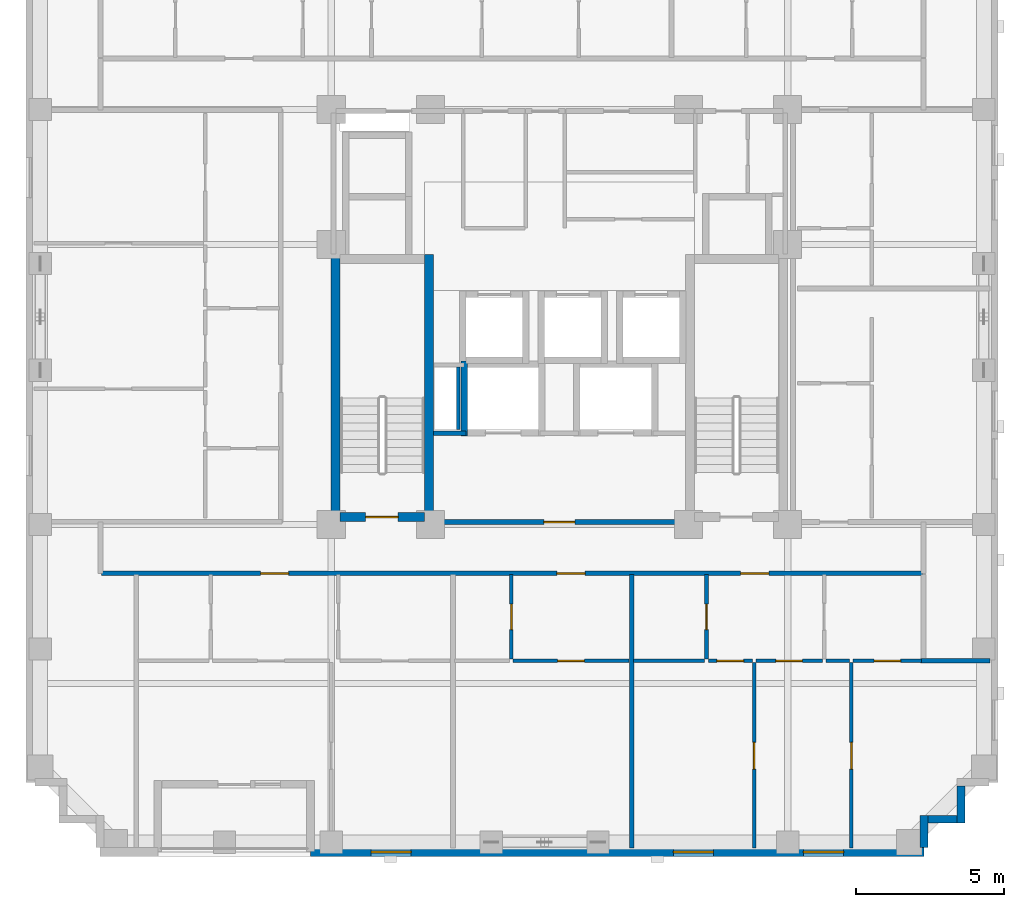
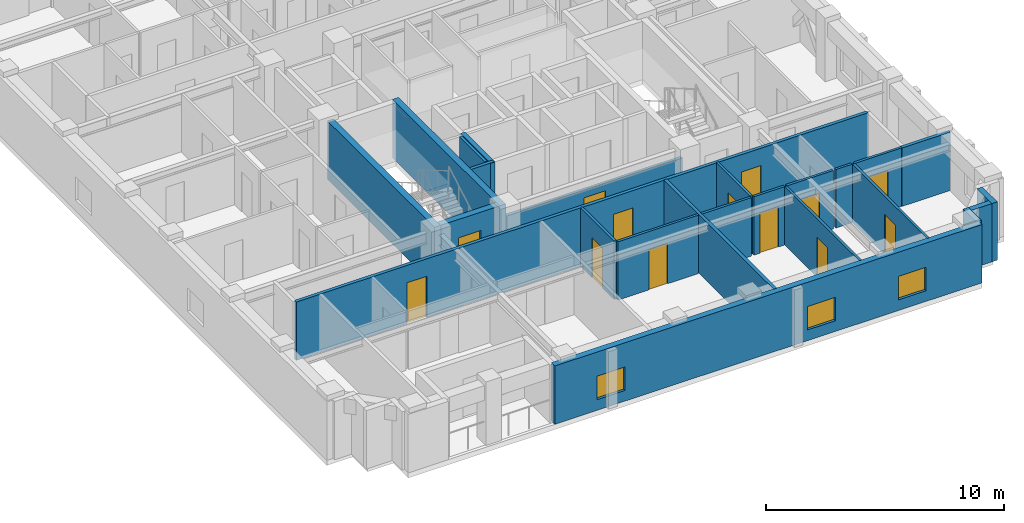
# One storey, part 3 of 11: 24 walls, 13 doors, 3 windows, 16 openings.
"""IFC4 building model written with IfcOpenShell, lengths in metres."""

from ifc_helpers import new_model, si_unit, derived_unit, direction, frame, frame_2d, origin, place, context, subcontext, project, spatial, rectangle, extrude, material, layer, layer_set, type_object, element, fill, save


model = new_model("IFC4")

# Units and contexts
model_context = context("Model", 3, precision=1e-05, world=origin(), true_north=direction((0.0, 1.0)))
body_context = subcontext(model_context, "Body", "Model", "MODEL_VIEW")
ifc_project = project(units=[si_unit("LENGTHUNIT", "METRE"), si_unit("AREAUNIT", "SQUARE_METRE"), si_unit("VOLUMEUNIT", "CUBIC_METRE"), si_unit("PLANEANGLEUNIT", "RADIAN"), si_unit("MASSUNIT", "GRAM", prefix="KILO"), derived_unit("THERMALTRANSMITTANCEUNIT", [(si_unit("MASSUNIT", "GRAM", prefix="KILO"), 1), (si_unit("TIMEUNIT", "SECOND"), -3), (si_unit("THERMODYNAMICTEMPERATUREUNIT", "KELVIN"), -1)])], contexts=[model_context])

# Site, building, storey
site_placement = place(None, origin())
site = spatial("IfcSite", under=ifc_project, at=site_placement, CompositionType="ELEMENT")
building_placement = place(site_placement, origin())
building = spatial("IfcBuilding", under=site, at=building_placement, Name="Korrvale Station Residences", CompositionType="ELEMENT")
storey_placement = place(building_placement, frame((0.0, 0.0, 134.14990234375)))
storey = spatial("IfcBuildingStorey", under=building, at=storey_placement, Name="L38", CompositionType="ELEMENT", Elevation=134.14990234375)

# Walls
ifc_material_1 = material(Name="Concrete C60/75", Category="concrete")
ifc_layer_1 = layer(ifc_material_1, 0.300048828125, Name="Concrete C60/75")
ifc_layer_set_1 = layer_set([ifc_layer_1], Name="Concrete C60/75")
wall_type_1 = type_object("IfcWallType", Name="WAL-CORE-300-C60", PredefinedType="SHEAR", material=ifc_layer_set_1)
for number, where, z_axis, x_axis, name in (
    (1, (17.949951171875, 15.10009765625, 0.0), (0.0, 0.0, 1.0), (0.0, 1.0, 0.0), "L38 ST-1 Core Shear Wall West"),
    (2, (21.10009765625, 15.10009765625, 0.0), (0.0, 0.0, 1.0), (0.0, 1.0, 0.0), "L38 ST-1 Core Shear Wall East"),
):
    element("IfcWall", number, at=place(storey_placement, frame(where, z_axis=z_axis, x_axis=x_axis)), inside=storey, type_object=wall_type_1, Name=name, PredefinedType="SHEAR", context=body_context, shape_type="SweptSolid", body=[
        extrude(rectangle(XDim=9.0, YDim=0.300048828125, at=frame_2d((4.5, 0.0))), origin(), (0.0, 0.0, 1.0), 2.989990234375),
    ])

# Wall, opening, door
wall_1_placement = place(storey_placement, frame((18.10009765625, 15.25, 0.0), z_axis=(0.0, 0.0, 1.0), x_axis=(1.0, 0.0, 0.0)))
wall_1 = element("IfcWall", 3, at=wall_1_placement, inside=storey, type_object=wall_type_1, Name="L38 ST-1 Core Shear Wall South", PredefinedType="SHEAR", context=body_context, shape_type="SweptSolid", body=[
    extrude(rectangle(XDim=2.849853515625, YDim=0.300048828125, at=frame_2d((1.4248046875, 0.0))), origin(), (0.0, 0.0, 1.0), 2.989990234375),
])
opening_1_placement = place(wall_1_placement, frame((0.860107421875, 0.0, 0.0)))
opening_1 = element("IfcOpeningElement", 4, at=opening_1_placement, cuts=wall_1, Name="Opening SD-1100", PredefinedType="OPENING", context=body_context, shape_type="SweptSolid", body=[
    extrude(rectangle(XDim=1.10009765625, YDim=2.050048828125, at=frame_2d((0.550048828125, 1.02490234375))), frame((0.0, 0.16015625, 0.0), z_axis=(0.0, -1.0, 0.0), x_axis=(1.0, 0.0, 0.0)), (0.0, 0.0, 1.0), 0.320068359375),
])
ifc_material_2 = material(Name="Hollow-metal fire-rated stair door with closer", Category="steel")
door_type_1 = type_object("IfcDoorType", Name="DR-STAIR-1100", OperationType="NOTDEFINED", PredefinedType="DOOR", material=ifc_material_2)
door_1_placement = place(opening_1_placement, origin())
door_1 = element("IfcDoor", 5, at=door_1_placement, inside=storey, type_object=door_type_1, Name="L38 ST-1 Exit Stair Door", OperationType="SINGLE_SWING_LEFT", OverallHeight=2.050048828125, OverallWidth=1.10009765625, PredefinedType="DOOR", context=body_context, shape_type="SweptSolid", body=[
    extrude(rectangle(XDim=1.10009765625, YDim=2.050048828125, at=frame_2d((0.550048828125, 1.02490234375))), frame((0.0, 0.02490234375, 0.0), z_axis=(0.0, -1.0, 0.0), x_axis=(1.0, 0.0, 0.0)), (0.0, 0.0, 1.0), 0.050048828125),
])
fill(opening_1, door_1)

# Walls
ifc_material_3 = material(Name="Precast concrete C45/55", Category="concrete")
ifc_layer_2 = layer(ifc_material_3, 0.260009765625, Name="Precast concrete C45/55")
ifc_layer_set_2 = layer_set([ifc_layer_2], Name="Precast concrete C45/55")
wall_type_2 = type_object("IfcWallType", Name="WAL-EXT-LOG260", PredefinedType="SOLIDWALL", material=ifc_layer_set_2)
wall_2_placement = place(storey_placement, frame((39.050048828125, 6.16796875, 0.0), z_axis=(0.0, 0.0, 1.0), x_axis=(0.0, -1.0, 0.0)))
element("IfcWall", 6, at=wall_2_placement, inside=storey, type_object=wall_type_2, Name="L38 Serrated Corner Precast Step SE-2", PredefinedType="SOLIDWALL", context=body_context, shape_type="SweptSolid", body=[
    extrude(rectangle(XDim=1.248046875, YDim=0.260009765625, at=frame_2d((0.6240234375, 0.0))), origin(), (0.0, 0.0, 1.0), 2.989990234375),
])
wall_3_placement = place(storey_placement, frame((38.91796875, 5.050048828125, 0.0), z_axis=(0.0, 0.0, 1.0), x_axis=(-1.0, 0.0, 0.0)))
element("IfcWall", 7, at=wall_3_placement, inside=storey, type_object=wall_type_2, Name="L38 Serrated Corner Precast Step SE-3", PredefinedType="SOLIDWALL", context=body_context, shape_type="SweptSolid", body=[
    extrude(rectangle(XDim=0.986083984375, YDim=0.260009765625, at=frame_2d((0.4931640625, 0.0))), origin(), (0.0, 0.0, 1.0), 2.989990234375),
])
wall_4_placement = place(storey_placement, frame((37.800048828125, 5.179931640625, 0.0), z_axis=(0.0, 0.0, 1.0), x_axis=(0.0, -1.0, 0.0)))
element("IfcWall", 8, at=wall_4_placement, inside=storey, type_object=wall_type_2, Name="L38 Serrated Corner Precast Step SE-4", PredefinedType="SOLIDWALL", context=body_context, shape_type="SweptSolid", body=[
    extrude(rectangle(XDim=1.077880859375, YDim=0.260009765625, at=frame_2d((0.5390625, 0.0))), origin(), (0.0, 0.0, 1.0), 2.989990234375),
])

# Wall, openings, windows
ifc_layer_3 = layer(ifc_material_3, 0.300048828125, Name="Precast concrete C45/55")
ifc_layer_set_3 = layer_set([ifc_layer_3], Name="Precast concrete C45/55")
wall_type_3 = type_object("IfcWallType", Name="WAL-EXT-PC300", PredefinedType="SOLIDWALL", material=ifc_layer_set_3)
wall_5_placement = place(storey_placement, frame((37.800048828125, 3.949951171875, 0.0), z_axis=(0.0, 0.0, 1.0), x_axis=(-1.0, 0.0, 0.0)))
wall_5 = element("IfcWall", 9, at=wall_5_placement, inside=storey, type_object=wall_type_3, Name="L38 South Exterior Precast Wall 1", PredefinedType="SOLIDWALL", context=body_context, shape_type="SweptSolid", body=[
    extrude(rectangle(XDim=20.699951171875, YDim=0.300048828125, at=frame_2d((10.35009765625, 0.0))), origin(), (0.0, 0.0, 1.0), 2.989990234375),
])
opening_2_placement = place(wall_5_placement, frame((17.304931640625, 0.0, 0.550048828125)))
opening_2 = element("IfcOpeningElement", 10, at=opening_2_placement, cuts=wall_5, Name="Opening W-10", PredefinedType="OPENING", context=body_context, shape_type="SweptSolid", body=[
    extrude(rectangle(XDim=1.35009765625, YDim=1.199951171875, at=frame_2d((0.675048828125, 0.60009765625))), frame((0.0, 0.16015625, 0.0), z_axis=(0.0, -1.0, 0.0), x_axis=(1.0, 0.0, 0.0)), (0.0, 0.0, 1.0), 0.320068359375),
])
opening_3_placement = place(wall_5_placement, frame((7.10595703125, 0.0, 0.550048828125)))
opening_3 = element("IfcOpeningElement", 11, at=opening_3_placement, cuts=wall_5, Name="Opening W-10", PredefinedType="OPENING", context=body_context, shape_type="SweptSolid", body=[
    extrude(rectangle(XDim=1.35009765625, YDim=1.199951171875, at=frame_2d((0.675048828125, 0.60009765625))), frame((0.0, 0.16015625, 0.0), z_axis=(0.0, -1.0, 0.0), x_axis=(1.0, 0.0, 0.0)), (0.0, 0.0, 1.0), 0.320068359375),
])
opening_4_placement = place(wall_5_placement, frame((2.715087890625, 0.0, 0.550048828125)))
opening_4 = element("IfcOpeningElement", 12, at=opening_4_placement, cuts=wall_5, Name="Opening W-10", PredefinedType="OPENING", context=body_context, shape_type="SweptSolid", body=[
    extrude(rectangle(XDim=1.35009765625, YDim=1.199951171875, at=frame_2d((0.675048828125, 0.60009765625))), frame((0.0, 0.16015625, 0.0), z_axis=(0.0, -1.0, 0.0), x_axis=(1.0, 0.0, 0.0)), (0.0, 0.0, 1.0), 0.320068359375),
])
ifc_material_4 = material(Name="Thermally broken aluminium frame with triple low-e glazing", Category="aluminium")
window_type = type_object("IfcWindowType", Name="WIN-W10", PartitioningType="SINGLE_PANEL", PredefinedType="WINDOW", material=ifc_material_4)
window_1_placement = place(opening_2_placement, origin())
window_1 = element("IfcWindow", 13, at=window_1_placement, inside=storey, type_object=window_type, Name="L38 Punched Window 02", OverallHeight=1.199951171875, OverallWidth=1.35009765625, PartitioningType="SINGLE_PANEL", PredefinedType="WINDOW", context=body_context, shape_type="SweptSolid", body=[
    extrude(rectangle(XDim=1.35009765625, YDim=1.199951171875, at=frame_2d((0.675048828125, 0.60009765625))), frame((0.0, 0.030029296875, 0.0), z_axis=(0.0, -1.0, 0.0), x_axis=(1.0, 0.0, 0.0)), (0.0, 0.0, 1.0), 0.06005859375),
])
fill(opening_2, window_1)
window_2_placement = place(opening_3_placement, origin())
window_2 = element("IfcWindow", 14, at=window_2_placement, inside=storey, type_object=window_type, Name="L38 Punched Window 03", OverallHeight=1.199951171875, OverallWidth=1.35009765625, PartitioningType="SINGLE_PANEL", PredefinedType="WINDOW", context=body_context, shape_type="SweptSolid", body=[
    extrude(rectangle(XDim=1.35009765625, YDim=1.199951171875, at=frame_2d((0.675048828125, 0.60009765625))), frame((0.0, 0.030029296875, 0.0), z_axis=(0.0, -1.0, 0.0), x_axis=(1.0, 0.0, 0.0)), (0.0, 0.0, 1.0), 0.06005859375),
])
fill(opening_3, window_2)
window_3_placement = place(opening_4_placement, origin())
window_3 = element("IfcWindow", 15, at=window_3_placement, inside=storey, type_object=window_type, Name="L38 Punched Window 04", OverallHeight=1.199951171875, OverallWidth=1.35009765625, PartitioningType="SINGLE_PANEL", PredefinedType="WINDOW", context=body_context, shape_type="SweptSolid", body=[
    extrude(rectangle(XDim=1.35009765625, YDim=1.199951171875, at=frame_2d((0.675048828125, 0.60009765625))), frame((0.0, 0.030029296875, 0.0), z_axis=(0.0, -1.0, 0.0), x_axis=(1.0, 0.0, 0.0)), (0.0, 0.0, 1.0), 0.06005859375),
])
fill(opening_4, window_3)

# Wall
ifc_material_5 = material(Name="Acoustic steel-stud gypsum board partition", Category="steel")
ifc_layer_4 = layer(ifc_material_5, 0.1201171875, Name="Acoustic steel-stud gypsum board partition")
ifc_layer_set_4 = layer_set([ifc_layer_4], Name="Acoustic steel-stud gypsum board partition")
wall_type_4 = type_object("IfcWallType", Name="WAL-PART-125", PredefinedType="PARTITIONING", material=ifc_layer_set_4)
wall_6_placement = place(storey_placement, frame((22.080078125, 18.199951171875, 0.0), z_axis=(0.0, 0.0, 1.0), x_axis=(0.0, 1.0, 0.0)))
element("IfcWall", 16, at=wall_6_placement, inside=storey, type_object=wall_type_4, Name="L38 Core Partition CW-RSWT", PredefinedType="PARTITIONING", context=body_context, shape_type="SweptSolid", body=[
    extrude(rectangle(XDim=2.1201171875, YDim=0.1201171875, at=frame_2d((1.06005859375, 0.0))), origin(), (0.0, 0.0, 1.0), 2.989990234375),
])

# Wall, opening, door
wall_7_placement = place(storey_placement, frame((23.8779296875, 10.4599609375, 0.0), z_axis=(0.0, 0.0, 1.0), x_axis=(0.0, 1.0, 0.0)))
wall_7 = element("IfcWall", 17, at=wall_7_placement, inside=storey, type_object=wall_type_4, Name="L38 Suite Partition U02-V01", PredefinedType="PARTITIONING", context=body_context, shape_type="SweptSolid", body=[
    extrude(rectangle(XDim=2.85009765625, YDim=0.1201171875, at=frame_2d((1.425048828125, 0.0))), origin(), (0.0, 0.0, 1.0), 2.989990234375),
])
opening_5_placement = place(wall_7_placement, frame((0.9951171875, 0.0, 0.0)))
opening_5 = element("IfcOpeningElement", 18, at=opening_5_placement, cuts=wall_7, Name="Opening DB-860", PredefinedType="OPENING", context=body_context, shape_type="SweptSolid", body=[
    extrude(rectangle(XDim=0.860107421875, YDim=2.050048828125, at=frame_2d((0.43017578125, 1.02490234375))), frame((0.0, 0.070068359375, 0.0), z_axis=(0.0, -1.0, 0.0), x_axis=(1.0, 0.0, 0.0)), (0.0, 0.0, 1.0), 0.14013671875),
])
ifc_material_6 = material(Name="Moisture-resistant solid-core bathroom door", Category="timber")
door_type_2 = type_object("IfcDoorType", Name="DR-BATH-860", OperationType="NOTDEFINED", PredefinedType="DOOR", material=ifc_material_6)
door_2_placement = place(opening_5_placement, origin())
door_2 = element("IfcDoor", 19, at=door_2_placement, inside=storey, type_object=door_type_2, Name="L38 Studio Apartment L38-U02 Bathroom Door", OperationType="SINGLE_SWING_LEFT", OverallHeight=2.050048828125, OverallWidth=0.860107421875, PredefinedType="DOOR", context=body_context, shape_type="SweptSolid", body=[
    extrude(rectangle(XDim=0.860107421875, YDim=2.050048828125, at=frame_2d((0.43017578125, 1.02490234375))), frame((0.0, 0.02490234375, 0.0), z_axis=(0.0, -1.0, 0.0), x_axis=(1.0, 0.0, 0.0)), (0.0, 0.0, 1.0), 0.050048828125),
])
fill(opening_5, door_2)

wall_8_placement = place(storey_placement, frame((23.93798828125, 10.39990234375, 0.0), z_axis=(0.0, 0.0, 1.0), x_axis=(1.0, 0.0, 0.0)))
wall_8 = element("IfcWall", 20, at=wall_8_placement, inside=storey, type_object=wall_type_4, Name="L38 Suite Partition U02-H12", PredefinedType="PARTITIONING", context=body_context, shape_type="SweptSolid", body=[
    extrude(rectangle(XDim=3.904052734375, YDim=0.1201171875, at=frame_2d((1.9521484375, 0.0))), origin(), (0.0, 0.0, 1.0), 2.989990234375),
])
opening_6_placement = place(wall_8_placement, frame((1.501953125, 0.0, 0.0)))
opening_6 = element("IfcOpeningElement", 21, at=opening_6_placement, cuts=wall_8, Name="Opening DI-900", PredefinedType="OPENING", context=body_context, shape_type="SweptSolid", body=[
    extrude(rectangle(XDim=0.89990234375, YDim=2.050048828125, at=frame_2d((0.449951171875, 1.02490234375))), frame((0.0, 0.070068359375, 0.0), z_axis=(0.0, -1.0, 0.0), x_axis=(1.0, 0.0, 0.0)), (0.0, 0.0, 1.0), 0.14013671875),
])
ifc_material_7 = material(Name="Painted solid-core timber interior room door", Category="wood")
door_type_3 = type_object("IfcDoorType", Name="DR-INT-900", OperationType="NOTDEFINED", PredefinedType="DOOR", material=ifc_material_7)
door_3_placement = place(opening_6_placement, origin())
door_3 = element("IfcDoor", 22, at=door_3_placement, inside=storey, type_object=door_type_3, Name="L38 Studio Apartment L38-U02 Kitchen Door", OperationType="SINGLE_SWING_RIGHT", OverallHeight=2.050048828125, OverallWidth=0.89990234375, PredefinedType="DOOR", context=body_context, shape_type="SweptSolid", body=[
    extrude(rectangle(XDim=0.89990234375, YDim=2.050048828125, at=frame_2d((0.449951171875, 1.02490234375))), frame((0.0, 0.02490234375, 0.0), z_axis=(0.0, -1.0, 0.0), x_axis=(1.0, 0.0, 0.0)), (0.0, 0.0, 1.0), 0.050048828125),
])
fill(opening_6, door_3)

wall_9_placement = place(storey_placement, frame((30.4619140625, 10.4599609375, 0.0), z_axis=(0.0, 0.0, 1.0), x_axis=(0.0, 1.0, 0.0)))
wall_9 = element("IfcWall", 23, at=wall_9_placement, inside=storey, type_object=wall_type_4, Name="L38 Suite Partition U03-V01", PredefinedType="PARTITIONING", context=body_context, shape_type="SweptSolid", body=[
    extrude(rectangle(XDim=2.85009765625, YDim=0.1201171875, at=frame_2d((1.425048828125, 0.0))), origin(), (0.0, 0.0, 1.0), 2.989990234375),
])
opening_7_placement = place(wall_9_placement, frame((0.9951171875, 0.0, 0.0)))
opening_7 = element("IfcOpeningElement", 24, at=opening_7_placement, cuts=wall_9, Name="Opening DB-860", PredefinedType="OPENING", context=body_context, shape_type="SweptSolid", body=[
    extrude(rectangle(XDim=0.860107421875, YDim=2.050048828125, at=frame_2d((0.43017578125, 1.02490234375))), frame((0.0, 0.070068359375, 0.0), z_axis=(0.0, -1.0, 0.0), x_axis=(1.0, 0.0, 0.0)), (0.0, 0.0, 1.0), 0.14013671875),
])
door_4_placement = place(opening_7_placement, origin())
door_4 = element("IfcDoor", 25, at=door_4_placement, inside=storey, type_object=door_type_2, Name="L38 Apartment 1BR L38-U03 Bathroom Door", OperationType="SINGLE_SWING_LEFT", OverallHeight=2.050048828125, OverallWidth=0.860107421875, PredefinedType="DOOR", context=body_context, shape_type="SweptSolid", body=[
    extrude(rectangle(XDim=0.860107421875, YDim=2.050048828125, at=frame_2d((0.43017578125, 1.02490234375))), frame((0.0, 0.02490234375, 0.0), z_axis=(0.0, -1.0, 0.0), x_axis=(1.0, 0.0, 0.0)), (0.0, 0.0, 1.0), 0.050048828125),
])
fill(opening_7, door_4)

# Wall
wall_10_placement = place(storey_placement, frame((28.001953125, 10.39990234375, 0.0), z_axis=(0.0, 0.0, 1.0), x_axis=(1.0, 0.0, 0.0)))
element("IfcWall", 26, at=wall_10_placement, inside=storey, type_object=wall_type_4, Name="L38 Suite Partition U03-H03", PredefinedType="PARTITIONING", context=body_context, shape_type="SweptSolid", body=[
    extrude(rectangle(XDim=2.400146484375, YDim=0.1201171875, at=frame_2d((1.2001953125, 0.0))), origin(), (0.0, 0.0, 1.0), 2.989990234375),
])

# Wall, opening, door
wall_11_placement = place(storey_placement, frame((30.52197265625, 10.39990234375, 0.0), z_axis=(0.0, 0.0, 1.0), x_axis=(1.0, 0.0, 0.0)))
wall_11 = element("IfcWall", 27, at=wall_11_placement, inside=storey, type_object=wall_type_4, Name="L38 Suite Partition U03-H13", PredefinedType="PARTITIONING", context=body_context, shape_type="SweptSolid", body=[
    extrude(rectangle(XDim=1.488037109375, YDim=0.1201171875, at=frame_2d((0.744140625, 0.0))), origin(), (0.0, 0.0, 1.0), 2.989990234375),
])
opening_8_placement = place(wall_11_placement, frame((0.2939453125, 0.0, 0.0)))
opening_8 = element("IfcOpeningElement", 28, at=opening_8_placement, cuts=wall_11, Name="Opening DI-900", PredefinedType="OPENING", context=body_context, shape_type="SweptSolid", body=[
    extrude(rectangle(XDim=0.89990234375, YDim=2.050048828125, at=frame_2d((0.449951171875, 1.02490234375))), frame((0.0, 0.070068359375, 0.0), z_axis=(0.0, -1.0, 0.0), x_axis=(1.0, 0.0, 0.0)), (0.0, 0.0, 1.0), 0.14013671875),
])
door_5_placement = place(opening_8_placement, origin())
door_5 = element("IfcDoor", 29, at=door_5_placement, inside=storey, type_object=door_type_3, Name="L38 Apartment 1BR L38-U03 Kitchen Door", OperationType="SINGLE_SWING_LEFT", OverallHeight=2.050048828125, OverallWidth=0.89990234375, PredefinedType="DOOR", context=body_context, shape_type="SweptSolid", body=[
    extrude(rectangle(XDim=0.89990234375, YDim=2.050048828125, at=frame_2d((0.449951171875, 1.02490234375))), frame((0.0, 0.02490234375, 0.0), z_axis=(0.0, -1.0, 0.0), x_axis=(1.0, 0.0, 0.0)), (0.0, 0.0, 1.0), 0.050048828125),
])
fill(opening_8, door_5)

wall_12_placement = place(storey_placement, frame((32.1298828125, 10.39990234375, 0.0), z_axis=(0.0, 0.0, 1.0), x_axis=(1.0, 0.0, 0.0)))
wall_12 = element("IfcWall", 30, at=wall_12_placement, inside=storey, type_object=wall_type_4, Name="L38 Suite Partition U03-H14", PredefinedType="PARTITIONING", context=body_context, shape_type="SweptSolid", body=[
    extrude(rectangle(XDim=2.240234375, YDim=0.1201171875, at=frame_2d((1.1201171875, 0.0))), origin(), (0.0, 0.0, 1.0), 2.989990234375),
])
opening_9_placement = place(wall_12_placement, frame((0.669921875, 0.0, 0.0)))
opening_9 = element("IfcOpeningElement", 31, at=opening_9_placement, cuts=wall_12, Name="Opening DI-900", PredefinedType="OPENING", context=body_context, shape_type="SweptSolid", body=[
    extrude(rectangle(XDim=0.89990234375, YDim=2.050048828125, at=frame_2d((0.449951171875, 1.02490234375))), frame((0.0, 0.070068359375, 0.0), z_axis=(0.0, -1.0, 0.0), x_axis=(1.0, 0.0, 0.0)), (0.0, 0.0, 1.0), 0.14013671875),
])
door_6_placement = place(opening_9_placement, origin())
door_6 = element("IfcDoor", 32, at=door_6_placement, inside=storey, type_object=door_type_3, Name="L38 Apartment 1BR L38-U03 Kitchen Door", OperationType="SINGLE_SWING_RIGHT", OverallHeight=2.050048828125, OverallWidth=0.89990234375, PredefinedType="DOOR", context=body_context, shape_type="SweptSolid", body=[
    extrude(rectangle(XDim=0.89990234375, YDim=2.050048828125, at=frame_2d((0.449951171875, 1.02490234375))), frame((0.0, 0.02490234375, 0.0), z_axis=(0.0, -1.0, 0.0), x_axis=(1.0, 0.0, 0.0)), (0.0, 0.0, 1.0), 0.050048828125),
])
fill(opening_9, door_6)

# Wall
wall_13_placement = place(storey_placement, frame((34.489990234375, 10.39990234375, 0.0), z_axis=(0.0, 0.0, 1.0), x_axis=(1.0, 0.0, 0.0)))
element("IfcWall", 33, at=wall_13_placement, inside=storey, type_object=wall_type_4, Name="L38 Suite Partition U03-H24", PredefinedType="PARTITIONING", context=body_context, shape_type="SweptSolid", body=[
    extrude(rectangle(XDim=0.800048828125, YDim=0.1201171875, at=frame_2d((0.39990234375, 0.0))), origin(), (0.0, 0.0, 1.0), 2.989990234375),
])

# Wall, opening, door
wall_14_placement = place(storey_placement, frame((35.409912109375, 10.39990234375, 0.0), z_axis=(0.0, 0.0, 1.0), x_axis=(1.0, 0.0, 0.0)))
wall_14 = element("IfcWall", 34, at=wall_14_placement, inside=storey, type_object=wall_type_4, Name="L38 Suite Partition U03-H25", PredefinedType="PARTITIONING", context=body_context, shape_type="SweptSolid", body=[
    extrude(rectangle(XDim=2.31005859375, YDim=0.1201171875, at=frame_2d((1.155029296875, 0.0))), origin(), (0.0, 0.0, 1.0), 2.989990234375),
])
opening_10_placement = place(wall_14_placement, frame((0.705078125, 0.0, 0.0)))
opening_10 = element("IfcOpeningElement", 35, at=opening_10_placement, cuts=wall_14, Name="Opening DI-900", PredefinedType="OPENING", context=body_context, shape_type="SweptSolid", body=[
    extrude(rectangle(XDim=0.89990234375, YDim=2.050048828125, at=frame_2d((0.449951171875, 1.02490234375))), frame((0.0, 0.070068359375, 0.0), z_axis=(0.0, -1.0, 0.0), x_axis=(1.0, 0.0, 0.0)), (0.0, 0.0, 1.0), 0.14013671875),
])
door_7_placement = place(opening_10_placement, origin())
door_7 = element("IfcDoor", 36, at=door_7_placement, inside=storey, type_object=door_type_3, Name="L38 Apartment 1BR L38-U03 Wardrobe Storage Room Door", OperationType="SINGLE_SWING_LEFT", OverallHeight=2.050048828125, OverallWidth=0.89990234375, PredefinedType="DOOR", context=body_context, shape_type="SweptSolid", body=[
    extrude(rectangle(XDim=0.89990234375, YDim=2.050048828125, at=frame_2d((0.449951171875, 1.02490234375))), frame((0.0, 0.02490234375, 0.0), z_axis=(0.0, -1.0, 0.0), x_axis=(1.0, 0.0, 0.0)), (0.0, 0.0, 1.0), 0.050048828125),
])
fill(opening_10, door_7)

wall_15_placement = place(storey_placement, frame((32.070068359375, 4.080078125, 0.0), z_axis=(0.0, 0.0, 1.0), x_axis=(0.0, 1.0, 0.0)))
wall_15 = element("IfcWall", 37, at=wall_15_placement, inside=storey, type_object=wall_type_4, Name="L38 Suite Partition U03-V34", PredefinedType="PARTITIONING", context=body_context, shape_type="SweptSolid", body=[
    extrude(rectangle(XDim=6.260009765625, YDim=0.1201171875, at=frame_2d((3.1298828125, 0.0))), origin(), (0.0, 0.0, 1.0), 2.989990234375),
])
opening_11_placement = place(wall_15_placement, frame((2.6650390625, 0.0, 0.0)))
opening_11 = element("IfcOpeningElement", 38, at=opening_11_placement, cuts=wall_15, Name="Opening DI-900", PredefinedType="OPENING", context=body_context, shape_type="SweptSolid", body=[
    extrude(rectangle(XDim=0.89990234375, YDim=2.050048828125, at=frame_2d((0.449951171875, 1.02490234375))), frame((0.0, 0.070068359375, 0.0), z_axis=(0.0, -1.0, 0.0), x_axis=(1.0, 0.0, 0.0)), (0.0, 0.0, 1.0), 0.14013671875),
])
door_8_placement = place(opening_11_placement, origin())
door_8 = element("IfcDoor", 39, at=door_8_placement, inside=storey, type_object=door_type_3, Name="L38 Apartment 1BR L38-U03 Living and Dining Room Door", OperationType="SINGLE_SWING_RIGHT", OverallHeight=2.050048828125, OverallWidth=0.89990234375, PredefinedType="DOOR", context=body_context, shape_type="SweptSolid", body=[
    extrude(rectangle(XDim=0.89990234375, YDim=2.050048828125, at=frame_2d((0.449951171875, 1.02490234375))), frame((0.0, 0.02490234375, 0.0), z_axis=(0.0, -1.0, 0.0), x_axis=(1.0, 0.0, 0.0)), (0.0, 0.0, 1.0), 0.050048828125),
])
fill(opening_11, door_8)

wall_16_placement = place(storey_placement, frame((35.35009765625, 4.080078125, 0.0), z_axis=(0.0, 0.0, 1.0), x_axis=(0.0, 1.0, 0.0)))
wall_16 = element("IfcWall", 40, at=wall_16_placement, inside=storey, type_object=wall_type_4, Name="L38 Suite Partition U03-V45", PredefinedType="PARTITIONING", context=body_context, shape_type="SweptSolid", body=[
    extrude(rectangle(XDim=6.260009765625, YDim=0.1201171875, at=frame_2d((3.1298828125, 0.0))), origin(), (0.0, 0.0, 1.0), 2.989990234375),
])
opening_12_placement = place(wall_16_placement, frame((2.6650390625, 0.0, 0.0)))
opening_12 = element("IfcOpeningElement", 41, at=opening_12_placement, cuts=wall_16, Name="Opening DI-900", PredefinedType="OPENING", context=body_context, shape_type="SweptSolid", body=[
    extrude(rectangle(XDim=0.89990234375, YDim=2.050048828125, at=frame_2d((0.449951171875, 1.02490234375))), frame((0.0, 0.070068359375, 0.0), z_axis=(0.0, -1.0, 0.0), x_axis=(1.0, 0.0, 0.0)), (0.0, 0.0, 1.0), 0.14013671875),
])
door_9_placement = place(opening_12_placement, origin())
door_9 = element("IfcDoor", 42, at=door_9_placement, inside=storey, type_object=door_type_3, Name="L38 Apartment 1BR L38-U03 Formal Dining Room Door", OperationType="SINGLE_SWING_LEFT", OverallHeight=2.050048828125, OverallWidth=0.89990234375, PredefinedType="DOOR", context=body_context, shape_type="SweptSolid", body=[
    extrude(rectangle(XDim=0.89990234375, YDim=2.050048828125, at=frame_2d((0.449951171875, 1.02490234375))), frame((0.0, 0.02490234375, 0.0), z_axis=(0.0, -1.0, 0.0), x_axis=(1.0, 0.0, 0.0)), (0.0, 0.0, 1.0), 0.050048828125),
])
fill(opening_12, door_9)

ifc_material_8 = material(Name="Fire-rated twin-stud gypsum and mineral wool shaftwall assembly", Category="gypsum")
ifc_layer_5 = layer(ifc_material_8, 0.159912109375, Name="Fire-rated twin-stud gypsum and mineral wool shaftwall assembly")
ifc_layer_set_5 = layer_set([ifc_layer_5], Name="Fire-rated twin-stud gypsum and mineral wool shaftwall assembly")
wall_type_5 = type_object("IfcWallType", Name="WAL-PART-200", PredefinedType="PARTITIONING", material=ifc_layer_set_5)
wall_17_placement = place(storey_placement, frame((21.25, 15.080078125, 0.0), z_axis=(0.0, 0.0, 1.0), x_axis=(1.0, 0.0, 0.0)))
wall_17 = element("IfcWall", 43, at=wall_17_placement, inside=storey, type_object=wall_type_5, Name="L38 Core Partition CW-FFL-S", PredefinedType="PARTITIONING", context=body_context, shape_type="SweptSolid", body=[
    extrude(rectangle(XDim=8.5, YDim=0.159912109375, at=frame_2d((4.25, 0.0))), origin(), (0.0, 0.0, 1.0), 2.426025390625),
])
opening_13_placement = place(wall_17_placement, frame((3.72509765625, 0.0, 0.0)))
opening_13 = element("IfcOpeningElement", 44, at=opening_13_placement, cuts=wall_17, Name="Opening FD-1050", PredefinedType="OPENING", context=body_context, shape_type="SweptSolid", body=[
    extrude(rectangle(XDim=1.050048828125, YDim=2.050048828125, at=frame_2d((0.52490234375, 1.02490234375))), frame((0.0, 0.08984375, 0.0), z_axis=(0.0, -1.0, 0.0), x_axis=(1.0, 0.0, 0.0)), (0.0, 0.0, 1.0), 0.179931640625),
])
ifc_material_9 = material(Name="Fire-rated mineral-core timber lobby door", Category="wood")
door_type_4 = type_object("IfcDoorType", Name="DR-CORE-1050", OperationType="NOTDEFINED", PredefinedType="DOOR", material=ifc_material_9)
door_10_placement = place(opening_13_placement, origin())
door_10 = element("IfcDoor", 45, at=door_10_placement, inside=storey, type_object=door_type_4, Name="L38 Firefighting Lobby Entry Door", OperationType="SINGLE_SWING_RIGHT", OverallHeight=2.050048828125, OverallWidth=1.050048828125, PredefinedType="DOOR", context=body_context, shape_type="SweptSolid", body=[
    extrude(rectangle(XDim=1.050048828125, YDim=2.050048828125, at=frame_2d((0.52490234375, 1.02490234375))), frame((0.0, 0.02490234375, 0.0), z_axis=(0.0, -1.0, 0.0), x_axis=(1.0, 0.0, 0.0)), (0.0, 0.0, 1.0), 0.050048828125),
])
fill(opening_13, door_10)

# Walls
wall_18_placement = place(storey_placement, frame((21.25, 18.080078125, 0.0), z_axis=(0.0, 0.0, 1.0), x_axis=(1.0, 0.0, 0.0)))
element("IfcWall", 46, at=wall_18_placement, inside=storey, type_object=wall_type_5, Name="L38 Core Partition CW-FFL-N1", PredefinedType="PARTITIONING", context=body_context, shape_type="SweptSolid", body=[
    extrude(rectangle(XDim=1.10009765625, YDim=0.159912109375, at=frame_2d((0.550048828125, 0.0))), origin(), (0.0, 0.0, 1.0), 2.989990234375),
])
wall_19_placement = place(storey_placement, frame((37.679931640625, 10.39990234375, 0.0), z_axis=(0.0, 0.0, 1.0), x_axis=(1.0, 0.0, 0.0)))
element("IfcWall", 47, at=wall_19_placement, inside=storey, type_object=wall_type_5, Name="L38 Corner Step Wall U03-R", PredefinedType="PARTITIONING", context=body_context, shape_type="SweptSolid", body=[
    extrude(rectangle(XDim=2.340087890625, YDim=0.159912109375, at=frame_2d((1.169921875, 0.0))), origin(), (0.0, 0.0, 1.0), 2.989990234375),
])
wall_20_placement = place(storey_placement, frame((27.94189453125, 4.080078125, 0.0), z_axis=(0.0, 0.0, 1.0), x_axis=(0.0, 1.0, 0.0)))
element("IfcWall", 48, at=wall_20_placement, inside=storey, type_object=wall_type_5, Name="L38 Demising Wall U03-W", PredefinedType="PARTITIONING", context=body_context, shape_type="SweptSolid", body=[
    extrude(rectangle(XDim=9.22998046875, YDim=0.159912109375, at=frame_2d((4.614990234375, 0.0))), origin(), (0.0, 0.0, 1.0), 2.989990234375),
])

# Wall, openings, doors
wall_21_placement = place(storey_placement, frame((10.050048828125, 13.35009765625, 0.0), z_axis=(0.0, 0.0, 1.0), x_axis=(1.0, 0.0, 0.0)))
wall_21 = element("IfcWall", 49, at=wall_21_placement, inside=storey, type_object=wall_type_5, Name="L38 Rated Corridor Wall S", PredefinedType="PARTITIONING", context=body_context, shape_type="SweptSolid", body=[
    extrude(rectangle(XDim=27.699951171875, YDim=0.159912109375, at=frame_2d((13.85009765625, 0.0))), origin(), (0.0, 0.0, 1.0), 2.989990234375),
])
opening_14_placement = place(wall_21_placement, frame((5.364990234375, 0.0, 0.0)))
opening_14 = element("IfcOpeningElement", 50, at=opening_14_placement, cuts=wall_21, Name="Opening UD-950", PredefinedType="OPENING", context=body_context, shape_type="SweptSolid", body=[
    extrude(rectangle(XDim=0.949951171875, YDim=2.10009765625, at=frame_2d((0.47509765625, 1.050048828125))), frame((0.0, 0.08984375, 0.0), z_axis=(0.0, -1.0, 0.0), x_axis=(1.0, 0.0, 0.0)), (0.0, 0.0, 1.0), 0.179931640625),
])
opening_15_placement = place(wall_21_placement, frame((15.364990234375, 0.0, 0.0)))
opening_15 = element("IfcOpeningElement", 51, at=opening_15_placement, cuts=wall_21, Name="Opening UD-950", PredefinedType="OPENING", context=body_context, shape_type="SweptSolid", body=[
    extrude(rectangle(XDim=0.949951171875, YDim=2.10009765625, at=frame_2d((0.47509765625, 1.050048828125))), frame((0.0, 0.08984375, 0.0), z_axis=(0.0, -1.0, 0.0), x_axis=(1.0, 0.0, 0.0)), (0.0, 0.0, 1.0), 0.179931640625),
])
opening_16_placement = place(wall_21_placement, frame((21.56494140625, 0.0, 0.0)))
opening_16 = element("IfcOpeningElement", 52, at=opening_16_placement, cuts=wall_21, Name="Opening UD-950", PredefinedType="OPENING", context=body_context, shape_type="SweptSolid", body=[
    extrude(rectangle(XDim=0.949951171875, YDim=2.10009765625, at=frame_2d((0.47509765625, 1.050048828125))), frame((0.0, 0.08984375, 0.0), z_axis=(0.0, -1.0, 0.0), x_axis=(1.0, 0.0, 0.0)), (0.0, 0.0, 1.0), 0.179931640625),
])
ifc_material_10 = material(Name="Solid-core acoustic oak apartment entrance door", Category="timber")
door_type_5 = type_object("IfcDoorType", Name="DR-UNIT-950", OperationType="NOTDEFINED", PredefinedType="DOOR", material=ifc_material_10)
door_11_placement = place(opening_14_placement, origin())
door_11 = element("IfcDoor", 53, at=door_11_placement, inside=storey, type_object=door_type_5, Name="L38 Apartment L38-U01 Entrance Door", OperationType="SINGLE_SWING_LEFT", OverallHeight=2.10009765625, OverallWidth=0.949951171875, PredefinedType="DOOR", context=body_context, shape_type="SweptSolid", body=[
    extrude(rectangle(XDim=0.949951171875, YDim=2.10009765625, at=frame_2d((0.47509765625, 1.050048828125))), frame((0.0, 0.02490234375, 0.0), z_axis=(0.0, -1.0, 0.0), x_axis=(1.0, 0.0, 0.0)), (0.0, 0.0, 1.0), 0.050048828125),
])
fill(opening_14, door_11)
door_12_placement = place(opening_15_placement, origin())
door_12 = element("IfcDoor", 54, at=door_12_placement, inside=storey, type_object=door_type_5, Name="L38 Apartment L38-U02 Entrance Door", OperationType="SINGLE_SWING_RIGHT", OverallHeight=2.10009765625, OverallWidth=0.949951171875, PredefinedType="DOOR", context=body_context, shape_type="SweptSolid", body=[
    extrude(rectangle(XDim=0.949951171875, YDim=2.10009765625, at=frame_2d((0.47509765625, 1.050048828125))), frame((0.0, 0.02490234375, 0.0), z_axis=(0.0, -1.0, 0.0), x_axis=(1.0, 0.0, 0.0)), (0.0, 0.0, 1.0), 0.050048828125),
])
fill(opening_15, door_12)
door_13_placement = place(opening_16_placement, origin())
door_13 = element("IfcDoor", 55, at=door_13_placement, inside=storey, type_object=door_type_5, Name="L38 Apartment L38-U03 Entrance Door", OperationType="SINGLE_SWING_LEFT", OverallHeight=2.10009765625, OverallWidth=0.949951171875, PredefinedType="DOOR", context=body_context, shape_type="SweptSolid", body=[
    extrude(rectangle(XDim=0.949951171875, YDim=2.10009765625, at=frame_2d((0.47509765625, 1.050048828125))), frame((0.0, 0.02490234375, 0.0), z_axis=(0.0, -1.0, 0.0), x_axis=(1.0, 0.0, 0.0)), (0.0, 0.0, 1.0), 0.050048828125),
])
fill(opening_16, door_13)

# Wall
ifc_layer_6 = layer(ifc_material_1, 0.219970703125, Name="Concrete C60/75")
ifc_layer_set_6 = layer_set([ifc_layer_6], Name="Concrete C60/75")
wall_type_6 = type_object("IfcWallType", Name="WAL-SHAFT-220-C60", PredefinedType="SHEAR", material=ifc_layer_set_6)
wall_22_placement = place(storey_placement, frame((22.2900390625, 17.97998046875, 0.0), z_axis=(0.0, 0.0, 1.0), x_axis=(0.0, 1.0, 0.0)))
element("IfcWall", 56, at=wall_22_placement, inside=storey, type_object=wall_type_6, Name="L38 Elevator FFL-1 Hoistway Wall West", PredefinedType="SHEAR", context=body_context, shape_type="SweptSolid", body=[
    extrude(rectangle(XDim=2.5400390625, YDim=0.219970703125, at=frame_2d((1.27001953125, 0.0))), origin(), (0.0, 0.0, 1.0), 2.989990234375),
])

save(model, "model.ifc")
